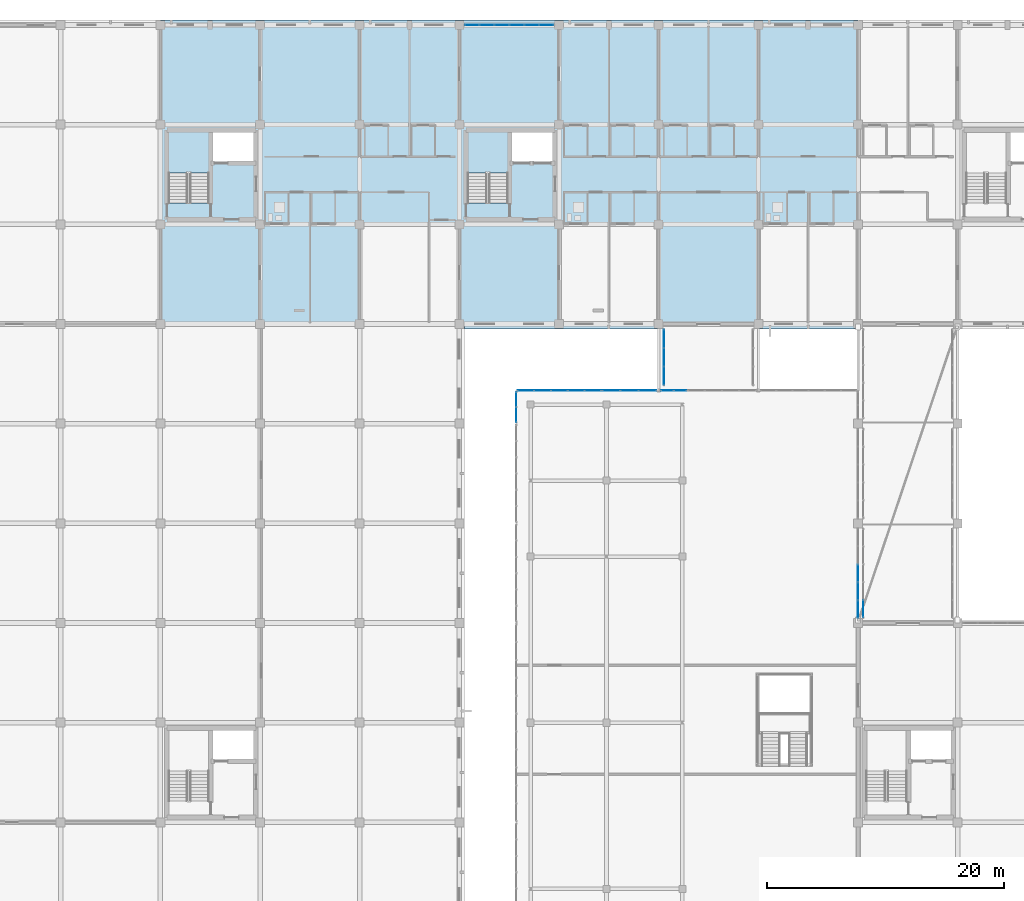
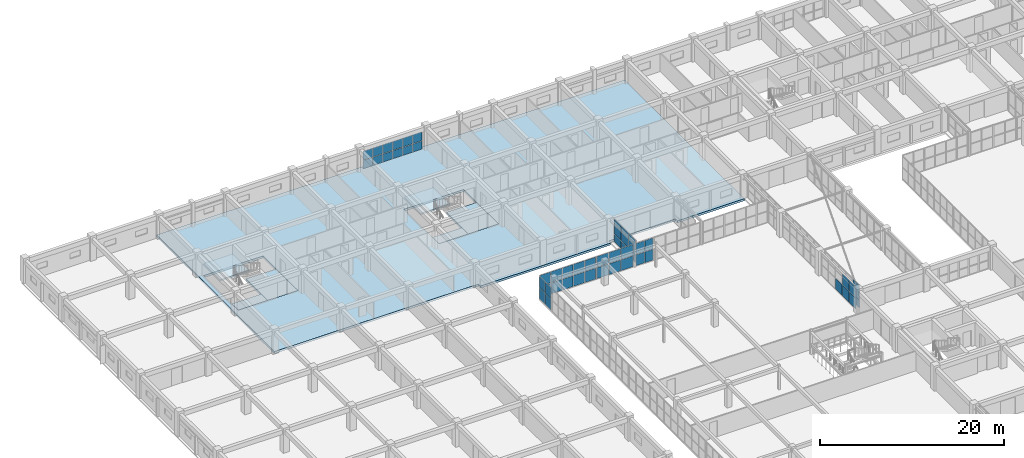
# One storey, part 152 of 200: 49 plates, 7 slabs, 10 elements without a shape of their own.
"""IFC4 building model written with IfcOpenShell, lengths in metres."""

from ifc_helpers import new_model, si_unit, direction, frame, origin, origin_2d, place, context, subcontext, project, spatial, polyline, rectangle, outline, extrude, material, layer, layer_set, type_object, element, aggregate, save


model = new_model("IFC4")

# Units and contexts
model_context = context("Model", 3, precision=1e-05, world=origin(), true_north=direction((0.0, 1.0)))
body_context = subcontext(model_context, "Body", "Model", "MODEL_VIEW")
ifc_project = project(units=[si_unit("LENGTHUNIT", "METRE"), si_unit("AREAUNIT", "SQUARE_METRE"), si_unit("VOLUMEUNIT", "CUBIC_METRE"), si_unit("PLANEANGLEUNIT", "RADIAN"), si_unit("MASSUNIT", "GRAM", prefix="KILO")], contexts=[model_context])

# Site, building, storey
site_placement = place(None, origin())
site = spatial("IfcSite", under=ifc_project, at=site_placement, CompositionType="ELEMENT")
building_placement = place(site_placement, origin())
building = spatial("IfcBuilding", under=site, at=building_placement, Name="Trelvath General Hospital", CompositionType="ELEMENT")
storey_placement = place(building_placement, frame((0.0, 0.0, 4.800048828125)))
storey = spatial("IfcBuildingStorey", under=building, at=storey_placement, Name="L01", CompositionType="ELEMENT", Elevation=4.800048828125)

# Curtain wall, plates
ifc_material_1 = material(Name="Anodised aluminium and low-E glass", Category="aluminium")
ifc_layer_1 = layer(ifc_material_1, 0.14990234375)
ifc_layer_set_1 = layer_set([ifc_layer_1], Name="Anodised aluminium and low-E glass")
curtain_wall_type_1 = type_object("IfcCurtainWallType", Name="CW CrystalCube 710 306 15", PredefinedType="USERDEFINED", material=ifc_layer_set_1)
curtain_wall_1_placement = place(storey_placement, origin())
curtain_wall_1 = element("IfcCurtainWall", 1, at=curtain_wall_1_placement, inside=storey, type_object=curtain_wall_type_1, Name="Crystal Cube Curtain Wall CUBE-W-T0 N1 L01", ObjectType="Unitised Glazed Curtain Wall", PredefinedType="USERDEFINED")
ifc_material_2 = material(Name="Low-E laminated glass", Category="glass")
ifc_layer_2 = layer(ifc_material_2, 0.028076171875)
ifc_layer_set_2 = layer_set([ifc_layer_2], Name="Low-E laminated glass")
plate_type_1 = type_object("IfcPlateType", Name="CurtainPanel Glass28", PredefinedType="CURTAIN_PANEL", material=ifc_layer_set_2)
plate_1_placement = place(storey_placement, frame((47.60498046875, 86.800048828125, 0.06005859375), z_axis=(0.0, 0.0, 1.0), x_axis=(1.0, 0.0, 0.0)))
plate_1 = element("IfcPlate", 2, at=plate_1_placement, type_object=plate_type_1, Name="CW-133 panel 1.1", PredefinedType="CURTAIN_PANEL", context=body_context, shape_type="SweptSolid", body=[
    extrude(rectangle(XDim=1.330078125, YDim=0.028076171875, at=origin_2d()), origin(), (0.0, 0.0, 1.0), 1.43994140625),
])
plate_2_placement = place(storey_placement, frame((47.60498046875, 86.800048828125, 1.56005859375), z_axis=(0.0, 0.0, 1.0), x_axis=(1.0, 0.0, 0.0)))
plate_2 = element("IfcPlate", 3, at=plate_2_placement, type_object=plate_type_1, Name="CW-133 panel 1.2", PredefinedType="CURTAIN_PANEL", context=body_context, shape_type="SweptSolid", body=[
    extrude(rectangle(XDim=1.330078125, YDim=0.028076171875, at=origin_2d()), origin(), (0.0, 0.0, 1.0), 1.43994140625),
])
plate_3_placement = place(storey_placement, frame((49.010009765625, 86.800048828125, 0.06005859375), z_axis=(0.0, 0.0, 1.0), x_axis=(1.0, 0.0, 0.0)))
plate_3 = element("IfcPlate", 4, at=plate_3_placement, type_object=plate_type_1, Name="CW-133 panel 2.1", PredefinedType="CURTAIN_PANEL", context=body_context, shape_type="SweptSolid", body=[
    extrude(rectangle(XDim=1.360107421875, YDim=0.028076171875, at=origin_2d()), origin(), (0.0, 0.0, 1.0), 1.43994140625),
])
plate_4_placement = place(storey_placement, frame((49.010009765625, 86.800048828125, 1.56005859375), z_axis=(0.0, 0.0, 1.0), x_axis=(1.0, 0.0, 0.0)))
plate_4 = element("IfcPlate", 5, at=plate_4_placement, type_object=plate_type_1, Name="CW-133 panel 2.2", PredefinedType="CURTAIN_PANEL", context=body_context, shape_type="SweptSolid", body=[
    extrude(rectangle(XDim=1.360107421875, YDim=0.028076171875, at=origin_2d()), origin(), (0.0, 0.0, 1.0), 1.43994140625),
])
plate_5_placement = place(storey_placement, frame((50.429931640625, 86.800048828125, 0.06005859375), z_axis=(0.0, 0.0, 1.0), x_axis=(1.0, 0.0, 0.0)))
plate_5 = element("IfcPlate", 6, at=plate_5_placement, type_object=plate_type_1, Name="CW-133 panel 3.1", PredefinedType="CURTAIN_PANEL", context=body_context, shape_type="SweptSolid", body=[
    extrude(rectangle(XDim=1.360107421875, YDim=0.028076171875, at=origin_2d()), origin(), (0.0, 0.0, 1.0), 1.43994140625),
])
plate_6_placement = place(storey_placement, frame((50.429931640625, 86.800048828125, 1.56005859375), z_axis=(0.0, 0.0, 1.0), x_axis=(1.0, 0.0, 0.0)))
plate_6 = element("IfcPlate", 7, at=plate_6_placement, type_object=plate_type_1, Name="CW-133 panel 3.2", PredefinedType="CURTAIN_PANEL", context=body_context, shape_type="SweptSolid", body=[
    extrude(rectangle(XDim=1.360107421875, YDim=0.028076171875, at=origin_2d()), origin(), (0.0, 0.0, 1.0), 1.43994140625),
])
plate_7_placement = place(storey_placement, frame((51.85009765625, 86.800048828125, 0.06005859375), z_axis=(0.0, 0.0, 1.0), x_axis=(1.0, 0.0, 0.0)))
plate_7 = element("IfcPlate", 8, at=plate_7_placement, type_object=plate_type_1, Name="CW-133 panel 4.1", PredefinedType="CURTAIN_PANEL", context=body_context, shape_type="SweptSolid", body=[
    extrude(rectangle(XDim=1.360107421875, YDim=0.028076171875, at=origin_2d()), origin(), (0.0, 0.0, 1.0), 1.43994140625),
])
plate_8_placement = place(storey_placement, frame((51.85009765625, 86.800048828125, 1.56005859375), z_axis=(0.0, 0.0, 1.0), x_axis=(1.0, 0.0, 0.0)))
plate_8 = element("IfcPlate", 9, at=plate_8_placement, type_object=plate_type_1, Name="CW-133 panel 4.2", PredefinedType="CURTAIN_PANEL", context=body_context, shape_type="SweptSolid", body=[
    extrude(rectangle(XDim=1.360107421875, YDim=0.028076171875, at=origin_2d()), origin(), (0.0, 0.0, 1.0), 1.43994140625),
])
plate_9_placement = place(storey_placement, frame((53.2548828125, 86.800048828125, 0.06005859375), z_axis=(0.0, 0.0, 1.0), x_axis=(1.0, 0.0, 0.0)))
plate_9 = element("IfcPlate", 10, at=plate_9_placement, type_object=plate_type_1, Name="CW-133 panel 5.1", PredefinedType="CURTAIN_PANEL", context=body_context, shape_type="SweptSolid", body=[
    extrude(rectangle(XDim=1.330078125, YDim=0.028076171875, at=origin_2d()), origin(), (0.0, 0.0, 1.0), 1.43994140625),
])
plate_10_placement = place(storey_placement, frame((53.2548828125, 86.800048828125, 1.56005859375), z_axis=(0.0, 0.0, 1.0), x_axis=(1.0, 0.0, 0.0)))
plate_10 = element("IfcPlate", 11, at=plate_10_placement, type_object=plate_type_1, Name="CW-133 panel 5.2", PredefinedType="CURTAIN_PANEL", context=body_context, shape_type="SweptSolid", body=[
    extrude(rectangle(XDim=1.330078125, YDim=0.028076171875, at=origin_2d()), origin(), (0.0, 0.0, 1.0), 1.43994140625),
])
aggregate(curtain_wall_1, [plate_1, plate_2, plate_3, plate_4, plate_5, plate_6, plate_7, plate_8, plate_9, plate_10])

ifc_material_3 = material(Name="Anodised aluminium and low-E glass", Category="aluminium")
ifc_layer_3 = layer(ifc_material_3, 0.14990234375)
ifc_layer_set_3 = layer_set([ifc_layer_3], Name="Anodised aluminium and low-E glass")
curtain_wall_type_2 = type_object("IfcCurtainWallType", Name="CW CrystalCube 463 306 15", PredefinedType="USERDEFINED", material=ifc_layer_set_3)
curtain_wall_2_placement = place(storey_placement, origin())
curtain_wall_2 = element("IfcCurtainWall", 12, at=curtain_wall_2_placement, inside=storey, type_object=curtain_wall_type_2, Name="Crystal Cube Curtain Wall CUBE-W-T0 N2 L01", ObjectType="Unitised Glazed Curtain Wall", PredefinedType="USERDEFINED")
plate_11_placement = place(storey_placement, frame((54.806640625, 86.800048828125, 0.06005859375), z_axis=(0.0, 0.0, 1.0), x_axis=(1.0, 0.0, 0.0)))
plate_11 = element("IfcPlate", 13, at=plate_11_placement, type_object=plate_type_1, Name="CW-134 panel 1.1", PredefinedType="CURTAIN_PANEL", context=body_context, shape_type="SweptSolid", body=[
    extrude(rectangle(XDim=1.453369140625, YDim=0.028076171875, at=origin_2d()), origin(), (0.0, 0.0, 1.0), 1.43994140625),
])
plate_12_placement = place(storey_placement, frame((54.806640625, 86.800048828125, 1.56005859375), z_axis=(0.0, 0.0, 1.0), x_axis=(1.0, 0.0, 0.0)))
plate_12 = element("IfcPlate", 14, at=plate_12_placement, type_object=plate_type_1, Name="CW-134 panel 1.2", PredefinedType="CURTAIN_PANEL", context=body_context, shape_type="SweptSolid", body=[
    extrude(rectangle(XDim=1.453369140625, YDim=0.028076171875, at=origin_2d()), origin(), (0.0, 0.0, 1.0), 1.43994140625),
])
plate_13_placement = place(storey_placement, frame((56.3349609375, 86.800048828125, 0.06005859375), z_axis=(0.0, 0.0, 1.0), x_axis=(1.0, 0.0, 0.0)))
plate_13 = element("IfcPlate", 15, at=plate_13_placement, type_object=plate_type_1, Name="CW-134 panel 2.1", PredefinedType="CURTAIN_PANEL", context=body_context, shape_type="SweptSolid", body=[
    extrude(rectangle(XDim=1.4833984375, YDim=0.028076171875, at=origin_2d()), origin(), (0.0, 0.0, 1.0), 1.43994140625),
])
plate_14_placement = place(storey_placement, frame((56.3349609375, 86.800048828125, 1.56005859375), z_axis=(0.0, 0.0, 1.0), x_axis=(1.0, 0.0, 0.0)))
plate_14 = element("IfcPlate", 16, at=plate_14_placement, type_object=plate_type_1, Name="CW-134 panel 2.2", PredefinedType="CURTAIN_PANEL", context=body_context, shape_type="SweptSolid", body=[
    extrude(rectangle(XDim=1.4833984375, YDim=0.028076171875, at=origin_2d()), origin(), (0.0, 0.0, 1.0), 1.43994140625),
])
plate_15_placement = place(storey_placement, frame((57.86328125, 86.800048828125, 0.06005859375), z_axis=(0.0, 0.0, 1.0), x_axis=(1.0, 0.0, 0.0)))
plate_15 = element("IfcPlate", 17, at=plate_15_placement, type_object=plate_type_1, Name="CW-134 panel 3.1", PredefinedType="CURTAIN_PANEL", context=body_context, shape_type="SweptSolid", body=[
    extrude(rectangle(XDim=1.453369140625, YDim=0.028076171875, at=origin_2d()), origin(), (0.0, 0.0, 1.0), 1.43994140625),
])
plate_16_placement = place(storey_placement, frame((57.86328125, 86.800048828125, 1.56005859375), z_axis=(0.0, 0.0, 1.0), x_axis=(1.0, 0.0, 0.0)))
plate_16 = element("IfcPlate", 18, at=plate_16_placement, type_object=plate_type_1, Name="CW-134 panel 3.2", PredefinedType="CURTAIN_PANEL", context=body_context, shape_type="SweptSolid", body=[
    extrude(rectangle(XDim=1.453369140625, YDim=0.028076171875, at=origin_2d()), origin(), (0.0, 0.0, 1.0), 1.43994140625),
])
aggregate(curtain_wall_2, [plate_11, plate_12, plate_13, plate_14, plate_15, plate_16])

ifc_material_4 = material(Name="Anodised aluminium and low-E glass", Category="aluminium")
ifc_layer_4 = layer(ifc_material_4, 0.14990234375)
ifc_layer_set_4 = layer_set([ifc_layer_4], Name="Anodised aluminium and low-E glass")
curtain_wall_type_3 = type_object("IfcCurtainWallType", Name="CW CrystalCube 223 306 15", PredefinedType="USERDEFINED", material=ifc_layer_set_4)
curtain_wall_3_placement = place(storey_placement, origin())
curtain_wall_3 = element("IfcCurtainWall", 19, at=curtain_wall_3_placement, inside=storey, type_object=curtain_wall_type_3, Name="Crystal Cube Curtain Wall CUBE-W-T0 N3 L01", ObjectType="Unitised Glazed Curtain Wall", PredefinedType="USERDEFINED")
plate_17_placement = place(storey_placement, frame((59.5224609375, 86.800048828125, 0.06005859375), z_axis=(0.0, 0.0, 1.0), x_axis=(1.0, 0.0, 0.0)))
plate_17 = element("IfcPlate", 20, at=plate_17_placement, type_object=plate_type_1, Name="CW-135 panel 1.1", PredefinedType="CURTAIN_PANEL", context=body_context, shape_type="SweptSolid", body=[
    extrude(rectangle(XDim=1.02490234375, YDim=0.028076171875, at=origin_2d()), origin(), (0.0, 0.0, 1.0), 1.43994140625),
])
plate_18_placement = place(storey_placement, frame((59.5224609375, 86.800048828125, 1.56005859375), z_axis=(0.0, 0.0, 1.0), x_axis=(1.0, 0.0, 0.0)))
plate_18 = element("IfcPlate", 21, at=plate_18_placement, type_object=plate_type_1, Name="CW-135 panel 1.2", PredefinedType="CURTAIN_PANEL", context=body_context, shape_type="SweptSolid", body=[
    extrude(rectangle(XDim=1.02490234375, YDim=0.028076171875, at=origin_2d()), origin(), (0.0, 0.0, 1.0), 1.43994140625),
])
plate_19_placement = place(storey_placement, frame((60.607421875, 86.800048828125, 0.06005859375), z_axis=(0.0, 0.0, 1.0), x_axis=(1.0, 0.0, 0.0)))
plate_19 = element("IfcPlate", 22, at=plate_19_placement, type_object=plate_type_1, Name="CW-135 panel 2.1", PredefinedType="CURTAIN_PANEL", context=body_context, shape_type="SweptSolid", body=[
    extrude(rectangle(XDim=1.02490234375, YDim=0.028076171875, at=origin_2d()), origin(), (0.0, 0.0, 1.0), 1.43994140625),
])
plate_20_placement = place(storey_placement, frame((60.607421875, 86.800048828125, 1.56005859375), z_axis=(0.0, 0.0, 1.0), x_axis=(1.0, 0.0, 0.0)))
plate_20 = element("IfcPlate", 23, at=plate_20_placement, type_object=plate_type_1, Name="CW-135 panel 2.2", PredefinedType="CURTAIN_PANEL", context=body_context, shape_type="SweptSolid", body=[
    extrude(rectangle(XDim=1.02490234375, YDim=0.028076171875, at=origin_2d()), origin(), (0.0, 0.0, 1.0), 1.43994140625),
])
aggregate(curtain_wall_3, [plate_17, plate_18, plate_19, plate_20])

ifc_material_5 = material(Name="Anodised aluminium and low-E glass", Category="aluminium")
ifc_layer_5 = layer(ifc_material_5, 0.14990234375)
ifc_layer_set_5 = layer_set([ifc_layer_5], Name="Anodised aluminium and low-E glass")
curtain_wall_type_4 = type_object("IfcCurtainWallType", Name="CW CrystalCube 759 306 15", PredefinedType="USERDEFINED", material=ifc_layer_set_5)
curtain_wall_4_placement = place(storey_placement, origin())
curtain_wall_4 = element("IfcCurtainWall", 24, at=curtain_wall_4_placement, inside=storey, type_object=curtain_wall_type_4, Name="Crystal Cube Curtain Wall CUBE-W-T0 E5 L01", ObjectType="Unitised Glazed Curtain Wall", PredefinedType="USERDEFINED")
plate_21_placement = place(storey_placement, frame((75.60009765625, 71.39990234375, 0.06005859375), z_axis=(0.0, 0.0, 1.0), x_axis=(0.0, -1.0, 0.0)))
plate_21 = element("IfcPlate", 25, at=plate_21_placement, type_object=plate_type_1, Name="CW-145 panel 3.1", PredefinedType="CURTAIN_PANEL", context=body_context, shape_type="SweptSolid", body=[
    extrude(rectangle(XDim=1.4580078125, YDim=0.028076171875, at=origin_2d()), origin(), (0.0, 0.0, 1.0), 1.43994140625),
])
plate_22_placement = place(storey_placement, frame((75.60009765625, 69.882080078125, 0.06005859375), z_axis=(0.0, 0.0, 1.0), x_axis=(0.0, -1.0, 0.0)))
plate_22 = element("IfcPlate", 26, at=plate_22_placement, type_object=plate_type_1, Name="CW-145 panel 4.1", PredefinedType="CURTAIN_PANEL", context=body_context, shape_type="SweptSolid", body=[
    extrude(rectangle(XDim=1.4580078125, YDim=0.028076171875, at=origin_2d()), origin(), (0.0, 0.0, 1.0), 1.43994140625),
])
plate_23_placement = place(storey_placement, frame((75.60009765625, 69.882080078125, 1.56005859375), z_axis=(0.0, 0.0, 1.0), x_axis=(0.0, -1.0, 0.0)))
plate_23 = element("IfcPlate", 27, at=plate_23_placement, type_object=plate_type_1, Name="CW-145 panel 4.2", PredefinedType="CURTAIN_PANEL", context=body_context, shape_type="SweptSolid", body=[
    extrude(rectangle(XDim=1.4580078125, YDim=0.028076171875, at=origin_2d()), origin(), (0.0, 0.0, 1.0), 1.43994140625),
])
plate_24_placement = place(storey_placement, frame((75.60009765625, 68.37890625, 0.06005859375), z_axis=(0.0, 0.0, 1.0), x_axis=(0.0, -1.0, 0.0)))
plate_24 = element("IfcPlate", 28, at=plate_24_placement, type_object=plate_type_1, Name="CW-145 panel 5.1", PredefinedType="CURTAIN_PANEL", context=body_context, shape_type="SweptSolid", body=[
    extrude(rectangle(XDim=1.427978515625, YDim=0.028076171875, at=origin_2d()), origin(), (0.0, 0.0, 1.0), 1.43994140625),
])
plate_25_placement = place(storey_placement, frame((75.60009765625, 68.37890625, 1.56005859375), z_axis=(0.0, 0.0, 1.0), x_axis=(0.0, -1.0, 0.0)))
plate_25 = element("IfcPlate", 29, at=plate_25_placement, type_object=plate_type_1, Name="CW-145 panel 5.2", PredefinedType="CURTAIN_PANEL", context=body_context, shape_type="SweptSolid", body=[
    extrude(rectangle(XDim=1.427978515625, YDim=0.028076171875, at=origin_2d()), origin(), (0.0, 0.0, 1.0), 1.43994140625),
])
aggregate(curtain_wall_4, [plate_21, plate_22, plate_23, plate_24, plate_25])

ifc_material_6 = material(Name="Anodised aluminium and low-E glass", Category="aluminium")
ifc_layer_6 = layer(ifc_material_6, 0.14990234375)
ifc_layer_set_6 = layer_set([ifc_layer_6], Name="Anodised aluminium and low-E glass")
curtain_wall_type_5 = type_object("IfcCurtainWallType", Name="CW CrystalCube 264 306 15", PredefinedType="USERDEFINED", material=ifc_layer_set_6)
curtain_wall_5_placement = place(storey_placement, origin())
curtain_wall_5 = element("IfcCurtainWall", 30, at=curtain_wall_5_placement, inside=storey, type_object=curtain_wall_type_5, Name="Crystal Cube Curtain Wall CUBE-W-T0 W7 L01", ObjectType="Unitised Glazed Curtain Wall", PredefinedType="USERDEFINED")
plate_26_placement = place(storey_placement, frame((46.800048828125, 84.7548828125, 0.06005859375), z_axis=(0.0, 0.0, 1.0), x_axis=(0.0, 1.0, 0.0)))
plate_26 = element("IfcPlate", 31, at=plate_26_placement, type_object=plate_type_1, Name="CW-148 panel 1.1", PredefinedType="CURTAIN_PANEL", context=body_context, shape_type="SweptSolid", body=[
    extrude(rectangle(XDim=1.22998046875, YDim=0.028076171875, at=origin_2d()), origin(), (0.0, 0.0, 1.0), 1.43994140625),
])
plate_27_placement = place(storey_placement, frame((46.800048828125, 84.7548828125, 1.56005859375), z_axis=(0.0, 0.0, 1.0), x_axis=(0.0, 1.0, 0.0)))
plate_27 = element("IfcPlate", 32, at=plate_27_placement, type_object=plate_type_1, Name="CW-148 panel 1.2", PredefinedType="CURTAIN_PANEL", context=body_context, shape_type="SweptSolid", body=[
    extrude(rectangle(XDim=1.22998046875, YDim=0.028076171875, at=origin_2d()), origin(), (0.0, 0.0, 1.0), 1.43994140625),
])
plate_28_placement = place(storey_placement, frame((46.800048828125, 86.044921875, 0.06005859375), z_axis=(0.0, 0.0, 1.0), x_axis=(0.0, 1.0, 0.0)))
plate_28 = element("IfcPlate", 33, at=plate_28_placement, type_object=plate_type_1, Name="CW-148 panel 2.1", PredefinedType="CURTAIN_PANEL", context=body_context, shape_type="SweptSolid", body=[
    extrude(rectangle(XDim=1.22998046875, YDim=0.028076171875, at=origin_2d()), origin(), (0.0, 0.0, 1.0), 1.43994140625),
])
plate_29_placement = place(storey_placement, frame((46.800048828125, 86.044921875, 1.56005859375), z_axis=(0.0, 0.0, 1.0), x_axis=(0.0, 1.0, 0.0)))
plate_29 = element("IfcPlate", 34, at=plate_29_placement, type_object=plate_type_1, Name="CW-148 panel 2.2", PredefinedType="CURTAIN_PANEL", context=body_context, shape_type="SweptSolid", body=[
    extrude(rectangle(XDim=1.22998046875, YDim=0.028076171875, at=origin_2d()), origin(), (0.0, 0.0, 1.0), 1.43994140625),
])
aggregate(curtain_wall_5, [plate_26, plate_27, plate_28, plate_29])

ifc_material_7 = material(Name="Anodised aluminium and low-E glass", Category="aluminium")
ifc_layer_7 = layer(ifc_material_7, 0.139892578125)
ifc_layer_set_7 = layer_set([ifc_layer_7], Name="Anodised aluminium and low-E glass")
curtain_wall_type_6 = type_object("IfcCurtainWallType", Name="CW Bridge 752 311", PredefinedType="USERDEFINED", material=ifc_layer_set_7)
curtain_wall_6_placement = place(storey_placement, origin())
curtain_wall_6 = element("IfcCurtainWall", 35, at=curtain_wall_6_placement, inside=storey, type_object=curtain_wall_type_6, Name="Glazed Bridge Curtain Wall BRG-N-C W L01", ObjectType="Unitised Glazed Curtain Wall", PredefinedType="USERDEFINED")
plate_30_placement = place(storey_placement, frame((76.0400390625, 68.406982421875, 0.06005859375), z_axis=(0.0, 0.0, 1.0), x_axis=(0.0, 1.0, 0.0)))
plate_30 = element("IfcPlate", 36, at=plate_30_placement, type_object=plate_type_1, Name="CW-172 panel 1.1", PredefinedType="CURTAIN_PANEL", context=body_context, shape_type="SweptSolid", body=[
    extrude(rectangle(XDim=1.4140625, YDim=0.028076171875, at=origin_2d()), origin(), (0.0, 0.0, 1.0), 1.010009765625),
])
plate_31_placement = place(storey_placement, frame((76.0400390625, 68.406982421875, 1.1298828125), z_axis=(0.0, 0.0, 1.0), x_axis=(0.0, 1.0, 0.0)))
plate_31 = element("IfcPlate", 37, at=plate_31_placement, type_object=plate_type_1, Name="CW-172 panel 1.2", PredefinedType="CURTAIN_PANEL", context=body_context, shape_type="SweptSolid", body=[
    extrude(rectangle(XDim=1.4140625, YDim=0.028076171875, at=origin_2d()), origin(), (0.0, 0.0, 1.0), 1.919921875),
])
aggregate(curtain_wall_6, [plate_30, plate_31])

ifc_material_8 = material(Name="Anodised aluminium and low-E glass", Category="aluminium")
ifc_layer_8 = layer(ifc_material_8, 0.139892578125)
ifc_layer_set_8 = layer_set([ifc_layer_8], Name="Anodised aluminium and low-E glass")
curtain_wall_type_7 = type_object("IfcCurtainWallType", Name="CW Bridge 472 311", PredefinedType="USERDEFINED", material=ifc_layer_set_8)
curtain_wall_7_placement = place(storey_placement, origin())
curtain_wall_7 = element("IfcCurtainWall", 38, at=curtain_wall_7_placement, inside=storey, type_object=curtain_wall_type_7, Name="Glazed Bridge Curtain Wall BRG-N-W W L01", ObjectType="Unitised Glazed Curtain Wall", PredefinedType="USERDEFINED")
plate_32_placement = place(storey_placement, frame((59.239990234375, 88.041748046875, 0.06005859375), z_axis=(0.0, 0.0, 1.0), x_axis=(0.0, 1.0, 0.0)))
plate_32 = element("IfcPlate", 39, at=plate_32_placement, type_object=plate_type_1, Name="CW-182 panel 1.1", PredefinedType="CURTAIN_PANEL", context=body_context, shape_type="SweptSolid", body=[
    extrude(rectangle(XDim=1.4833984375, YDim=0.028076171875, at=origin_2d()), origin(), (0.0, 0.0, 1.0), 1.010009765625),
])
plate_33_placement = place(storey_placement, frame((59.239990234375, 88.041748046875, 1.1298828125), z_axis=(0.0, 0.0, 1.0), x_axis=(0.0, 1.0, 0.0)))
plate_33 = element("IfcPlate", 40, at=plate_33_placement, type_object=plate_type_1, Name="CW-182 panel 1.2", PredefinedType="CURTAIN_PANEL", context=body_context, shape_type="SweptSolid", body=[
    extrude(rectangle(XDim=1.4833984375, YDim=0.028076171875, at=origin_2d()), origin(), (0.0, 0.0, 1.0), 1.919921875),
])
plate_34_placement = place(storey_placement, frame((59.239990234375, 89.60009765625, 0.06005859375), z_axis=(0.0, 0.0, 1.0), x_axis=(0.0, 1.0, 0.0)))
plate_34 = element("IfcPlate", 41, at=plate_34_placement, type_object=plate_type_1, Name="CW-182 panel 2.1", PredefinedType="CURTAIN_PANEL", context=body_context, shape_type="SweptSolid", body=[
    extrude(rectangle(XDim=1.513427734375, YDim=0.028076171875, at=origin_2d()), origin(), (0.0, 0.0, 1.0), 1.010009765625),
])
plate_35_placement = place(storey_placement, frame((59.239990234375, 89.60009765625, 1.1298828125), z_axis=(0.0, 0.0, 1.0), x_axis=(0.0, 1.0, 0.0)))
plate_35 = element("IfcPlate", 42, at=plate_35_placement, type_object=plate_type_1, Name="CW-182 panel 2.2", PredefinedType="CURTAIN_PANEL", context=body_context, shape_type="SweptSolid", body=[
    extrude(rectangle(XDim=1.513427734375, YDim=0.028076171875, at=origin_2d()), origin(), (0.0, 0.0, 1.0), 1.919921875),
])
plate_36_placement = place(storey_placement, frame((59.239990234375, 91.158447265625, 0.06005859375), z_axis=(0.0, 0.0, 1.0), x_axis=(0.0, 1.0, 0.0)))
plate_36 = element("IfcPlate", 43, at=plate_36_placement, type_object=plate_type_1, Name="CW-182 panel 3.1", PredefinedType="CURTAIN_PANEL", context=body_context, shape_type="SweptSolid", body=[
    extrude(rectangle(XDim=1.4833984375, YDim=0.028076171875, at=origin_2d()), origin(), (0.0, 0.0, 1.0), 1.010009765625),
])
plate_37_placement = place(storey_placement, frame((59.239990234375, 91.158447265625, 1.1298828125), z_axis=(0.0, 0.0, 1.0), x_axis=(0.0, 1.0, 0.0)))
plate_37 = element("IfcPlate", 44, at=plate_37_placement, type_object=plate_type_1, Name="CW-182 panel 3.2", PredefinedType="CURTAIN_PANEL", context=body_context, shape_type="SweptSolid", body=[
    extrude(rectangle(XDim=1.4833984375, YDim=0.028076171875, at=origin_2d()), origin(), (0.0, 0.0, 1.0), 1.919921875),
])
aggregate(curtain_wall_7, [plate_32, plate_33, plate_34, plate_35, plate_36, plate_37])

ifc_material_9 = material(Name="Anodised aluminium and low-E glass", Category="aluminium")
ifc_layer_9 = layer(ifc_material_9, 0.159912109375)
ifc_layer_set_9 = layer_set([ifc_layer_9], Name="Anodised aluminium and low-E glass")
curtain_wall_type_8 = type_object("IfcCurtainWallType", Name="CW Facade 754 242 16", PredefinedType="USERDEFINED", material=ifc_layer_set_9)
curtain_wall_8_placement = place(storey_placement, origin())
curtain_wall_8 = element("IfcCurtainWall", 45, at=curtain_wall_8_placement, inside=storey, type_object=curtain_wall_type_8, Name="Facade Curtain Wall CW-015", ObjectType="Unitised Glazed Curtain Wall", PredefinedType="USERDEFINED")
ifc_material_10 = material(Name="Insulated aluminium spandrel", Category="aluminium")
ifc_layer_10 = layer(ifc_material_10, 0.0439453125)
ifc_layer_set_10 = layer_set([ifc_layer_10], Name="Insulated aluminium spandrel")
plate_type_2 = type_object("IfcPlateType", Name="CurtainPanel Spandrel44", PredefinedType="CURTAIN_PANEL", material=ifc_layer_set_10)
plate_38_placement = place(storey_placement, frame((43.0732421875, 117.60009765625, 0.06005859375), z_axis=(0.0, 0.0, 1.0), x_axis=(1.0, 0.0, 0.0)))
plate_38 = element("IfcPlate", 46, at=plate_38_placement, type_object=plate_type_2, Name="CW-015 panel 1.1", PredefinedType="CURTAIN_PANEL", context=body_context, shape_type="SweptSolid", body=[
    extrude(rectangle(XDim=1.166748046875, YDim=0.0439453125, at=origin_2d()), origin(), (0.0, 0.0, 1.0), 1.072021484375),
])
plate_39_placement = place(storey_placement, frame((43.0732421875, 117.60009765625, 1.19189453125), z_axis=(0.0, 0.0, 1.0), x_axis=(1.0, 0.0, 0.0)))
plate_39 = element("IfcPlate", 47, at=plate_39_placement, type_object=plate_type_2, Name="CW-015 panel 1.2", PredefinedType="CURTAIN_PANEL", context=body_context, shape_type="SweptSolid", body=[
    extrude(rectangle(XDim=1.166748046875, YDim=0.0439453125, at=origin_2d()), origin(), (0.0, 0.0, 1.0), 1.16796875),
])
plate_40_placement = place(storey_placement, frame((44.31494140625, 117.60009765625, 0.06005859375), z_axis=(0.0, 0.0, 1.0), x_axis=(1.0, 0.0, 0.0)))
plate_40 = element("IfcPlate", 48, at=plate_40_placement, type_object=plate_type_2, Name="CW-015 panel 2.1", PredefinedType="CURTAIN_PANEL", context=body_context, shape_type="SweptSolid", body=[
    extrude(rectangle(XDim=1.19677734375, YDim=0.0439453125, at=origin_2d()), origin(), (0.0, 0.0, 1.0), 1.072021484375),
])
plate_41_placement = place(storey_placement, frame((44.31494140625, 117.60009765625, 1.19189453125), z_axis=(0.0, 0.0, 1.0), x_axis=(1.0, 0.0, 0.0)))
plate_41 = element("IfcPlate", 49, at=plate_41_placement, type_object=plate_type_2, Name="CW-015 panel 2.2", PredefinedType="CURTAIN_PANEL", context=body_context, shape_type="SweptSolid", body=[
    extrude(rectangle(XDim=1.19677734375, YDim=0.0439453125, at=origin_2d()), origin(), (0.0, 0.0, 1.0), 1.16796875),
])
plate_42_placement = place(storey_placement, frame((45.57177734375, 117.60009765625, 0.06005859375), z_axis=(0.0, 0.0, 1.0), x_axis=(1.0, 0.0, 0.0)))
plate_42 = element("IfcPlate", 50, at=plate_42_placement, type_object=plate_type_2, Name="CW-015 panel 3.1", PredefinedType="CURTAIN_PANEL", context=body_context, shape_type="SweptSolid", body=[
    extrude(rectangle(XDim=1.19677734375, YDim=0.0439453125, at=origin_2d()), origin(), (0.0, 0.0, 1.0), 1.072021484375),
])
plate_43_placement = place(storey_placement, frame((45.57177734375, 117.60009765625, 1.19189453125), z_axis=(0.0, 0.0, 1.0), x_axis=(1.0, 0.0, 0.0)))
plate_43 = element("IfcPlate", 51, at=plate_43_placement, type_object=plate_type_2, Name="CW-015 panel 3.2", PredefinedType="CURTAIN_PANEL", context=body_context, shape_type="SweptSolid", body=[
    extrude(rectangle(XDim=1.19677734375, YDim=0.0439453125, at=origin_2d()), origin(), (0.0, 0.0, 1.0), 1.16796875),
])
plate_44_placement = place(storey_placement, frame((46.828369140625, 117.60009765625, 0.06005859375), z_axis=(0.0, 0.0, 1.0), x_axis=(1.0, 0.0, 0.0)))
plate_44 = element("IfcPlate", 52, at=plate_44_placement, type_object=plate_type_2, Name="CW-015 panel 4.1", PredefinedType="CURTAIN_PANEL", context=body_context, shape_type="SweptSolid", body=[
    extrude(rectangle(XDim=1.19677734375, YDim=0.0439453125, at=origin_2d()), origin(), (0.0, 0.0, 1.0), 1.072021484375),
])
plate_45_placement = place(storey_placement, frame((46.828369140625, 117.60009765625, 1.19189453125), z_axis=(0.0, 0.0, 1.0), x_axis=(1.0, 0.0, 0.0)))
plate_45 = element("IfcPlate", 53, at=plate_45_placement, type_object=plate_type_2, Name="CW-015 panel 4.2", PredefinedType="CURTAIN_PANEL", context=body_context, shape_type="SweptSolid", body=[
    extrude(rectangle(XDim=1.19677734375, YDim=0.0439453125, at=origin_2d()), origin(), (0.0, 0.0, 1.0), 1.16796875),
])
plate_46_placement = place(storey_placement, frame((48.0849609375, 117.60009765625, 0.06005859375), z_axis=(0.0, 0.0, 1.0), x_axis=(1.0, 0.0, 0.0)))
plate_46 = element("IfcPlate", 54, at=plate_46_placement, type_object=plate_type_2, Name="CW-015 panel 5.1", PredefinedType="CURTAIN_PANEL", context=body_context, shape_type="SweptSolid", body=[
    extrude(rectangle(XDim=1.19677734375, YDim=0.0439453125, at=origin_2d()), origin(), (0.0, 0.0, 1.0), 1.072021484375),
])
plate_47_placement = place(storey_placement, frame((48.0849609375, 117.60009765625, 1.19189453125), z_axis=(0.0, 0.0, 1.0), x_axis=(1.0, 0.0, 0.0)))
plate_47 = element("IfcPlate", 55, at=plate_47_placement, type_object=plate_type_2, Name="CW-015 panel 5.2", PredefinedType="CURTAIN_PANEL", context=body_context, shape_type="SweptSolid", body=[
    extrude(rectangle(XDim=1.19677734375, YDim=0.0439453125, at=origin_2d()), origin(), (0.0, 0.0, 1.0), 1.16796875),
])
plate_48_placement = place(storey_placement, frame((49.32666015625, 117.60009765625, 0.06005859375), z_axis=(0.0, 0.0, 1.0), x_axis=(1.0, 0.0, 0.0)))
plate_48 = element("IfcPlate", 56, at=plate_48_placement, type_object=plate_type_2, Name="CW-015 panel 6.1", PredefinedType="CURTAIN_PANEL", context=body_context, shape_type="SweptSolid", body=[
    extrude(rectangle(XDim=1.166748046875, YDim=0.0439453125, at=origin_2d()), origin(), (0.0, 0.0, 1.0), 1.072021484375),
])
plate_49_placement = place(storey_placement, frame((49.32666015625, 117.60009765625, 1.19189453125), z_axis=(0.0, 0.0, 1.0), x_axis=(1.0, 0.0, 0.0)))
plate_49 = element("IfcPlate", 57, at=plate_49_placement, type_object=plate_type_2, Name="CW-015 panel 6.2", PredefinedType="CURTAIN_PANEL", context=body_context, shape_type="SweptSolid", body=[
    extrude(rectangle(XDim=1.166748046875, YDim=0.0439453125, at=origin_2d()), origin(), (0.0, 0.0, 1.0), 1.16796875),
])
aggregate(curtain_wall_8, [plate_38, plate_39, plate_40, plate_41, plate_42, plate_43, plate_44, plate_45, plate_46, plate_47, plate_48, plate_49])

# Slabs
ifc_material_11 = material(Name="Concrete C35/45", Category="concrete")
ifc_layer_11 = layer(ifc_material_11, 0.280029296875)
ifc_layer_set_11 = layer_set([ifc_layer_11], Name="Concrete C35/45")
slab_type_1 = type_object("IfcSlabType", Name="FlatSlab Clinical280", PredefinedType="FLOOR", material=ifc_layer_set_11)
slab_1_placement = place(storey_placement, frame((0.0, 0.0, -0.280029296875)))
element("IfcSlab", 58, at=slab_1_placement, inside=storey, type_object=slab_type_1, Name="Floor Slab SL-L01-V5-N1", PredefinedType="FLOOR", context=body_context, shape_type="SweptSolid", body=[
    extrude(outline(polyline([(16.820068359375, 92.419921875), (16.820068359375, 118.02001953125), (75.60009765625, 118.02001953125), (75.60009765625, 117.6201171875), (75.580078125, 117.6201171875), (75.60009765625, 117.60009765625), (75.60009765625, 92.39990234375), (75.580078125, 92.39990234375), (75.60009765625, 92.3798828125), (75.60009765625, 91.97998046875), (67.199951171875, 91.97998046875), (67.199951171875, 92.39990234375), (58.800048828125, 92.39990234375), (58.800048828125, 91.97998046875), (42.43994140625, 91.97998046875), (42.43994140625, 92.39990234375), (42.02001953125, 92.39990234375), (42.02001953125, 92.419921875), (16.820068359375, 92.419921875)]), holes=[polyline([(17.35009765625, 101.199951171875), (24.85009765625, 101.199951171875), (24.85009765625, 108.75), (17.35009765625, 108.75), (17.35009765625, 101.199951171875)]), polyline([(42.550048828125, 101.199951171875), (50.050048828125, 101.199951171875), (50.050048828125, 108.75), (42.550048828125, 108.75), (42.550048828125, 101.199951171875)])]), origin(), (0.0, 0.0, 1.0), 0.280029296875),
])
slab_2_placement = place(storey_placement, frame((0.0, 0.0, -0.280029296875)))
element("IfcSlab", 59, at=slab_2_placement, inside=storey, type_object=slab_type_1, Name="Core Lobby Slab C1 L01", PredefinedType="FLOOR", context=body_context, shape_type="SweptSolid", body=[
    extrude(outline(polyline([(46.25, 101.199951171875), (50.050048828125, 101.199951171875), (50.050048828125, 105.949951171875), (46.25, 105.949951171875), (46.25, 101.199951171875)])), origin(), (0.0, 0.0, 1.0), 0.280029296875),
])
slab_3_placement = place(storey_placement, frame((0.0, 0.0, -0.280029296875)))
element("IfcSlab", 60, at=slab_3_placement, inside=storey, type_object=slab_type_1, Name="Stair Landing Slab C1 L01", PredefinedType="FLOOR", context=body_context, shape_type="SweptSolid", body=[
    extrude(outline(polyline([(42.550048828125, 101.199951171875), (46.25, 101.199951171875), (46.25, 102.60009765625), (42.550048828125, 102.60009765625), (42.550048828125, 101.199951171875)])), origin(), (0.0, 0.0, 1.0), 0.280029296875),
])
slab_4_placement = place(storey_placement, frame((0.0, 0.0, -0.280029296875)))
element("IfcSlab", 61, at=slab_4_placement, inside=storey, type_object=slab_type_1, Name="Core Lobby Slab C3 L01", PredefinedType="FLOOR", context=body_context, shape_type="SweptSolid", body=[
    extrude(outline(polyline([(21.050048828125, 101.199951171875), (24.85009765625, 101.199951171875), (24.85009765625, 105.949951171875), (21.050048828125, 105.949951171875), (21.050048828125, 101.199951171875)])), origin(), (0.0, 0.0, 1.0), 0.280029296875),
])
slab_5_placement = place(storey_placement, frame((0.0, 0.0, -0.280029296875)))
element("IfcSlab", 62, at=slab_5_placement, inside=storey, type_object=slab_type_1, Name="Stair Landing Slab C3 L01", PredefinedType="FLOOR", context=body_context, shape_type="SweptSolid", body=[
    extrude(outline(polyline([(17.35009765625, 101.199951171875), (21.050048828125, 101.199951171875), (21.050048828125, 102.60009765625), (17.35009765625, 102.60009765625), (17.35009765625, 101.199951171875)])), origin(), (0.0, 0.0, 1.0), 0.280029296875),
])

# Stair, slab
ifc_material_12 = material(Name="Concrete C35/45", Category="concrete")
stair_type = type_object("IfcStairType", Name="Stair Stretcher330", PredefinedType="TWO_STRAIGHT_RUN_STAIR", material=ifc_material_12)
stair_1_placement = place(storey_placement, origin())
stair_1 = element("IfcStair", 63, at=stair_1_placement, inside=storey, type_object=stair_type, Name="Exit Stair ST1 L01", PredefinedType="TWO_STRAIGHT_RUN_STAIR")
ifc_material_13 = material(Name="Concrete C35/45", Category="concrete")
ifc_layer_12 = layer(ifc_material_13, 0.199951171875)
ifc_layer_set_12 = layer_set([ifc_layer_12], Name="Concrete C35/45")
slab_type_2 = type_object("IfcSlabType", Name="StairLanding 200", PredefinedType="LANDING", material=ifc_layer_set_12)
slab_6_placement = place(storey_placement, frame((0.0, 0.0, 1.449951171875)))
slab_6 = element("IfcSlab", 64, at=slab_6_placement, type_object=slab_type_2, Name="ST1-L01 landing 1", PredefinedType="LANDING", context=body_context, shape_type="SweptSolid", body=[
    extrude(outline(polyline([(42.56005859375, 105.1201171875), (46.239990234375, 105.1201171875), (46.239990234375, 108.739990234375), (42.56005859375, 108.739990234375), (42.56005859375, 105.1201171875)])), origin(), (0.0, 0.0, 1.0), 0.199951171875),
])
aggregate(stair_1, [slab_6])

stair_2_placement = place(storey_placement, origin())
stair_2 = element("IfcStair", 65, at=stair_2_placement, inside=storey, type_object=stair_type, Name="Exit Stair ST3 L01", PredefinedType="TWO_STRAIGHT_RUN_STAIR")
slab_7_placement = place(storey_placement, frame((0.0, 0.0, 1.449951171875)))
slab_7 = element("IfcSlab", 66, at=slab_7_placement, type_object=slab_type_2, Name="ST3-L01 landing 1", PredefinedType="LANDING", context=body_context, shape_type="SweptSolid", body=[
    extrude(outline(polyline([(17.360107421875, 105.1201171875), (21.0400390625, 105.1201171875), (21.0400390625, 108.739990234375), (17.360107421875, 108.739990234375), (17.360107421875, 105.1201171875)])), origin(), (0.0, 0.0, 1.0), 0.199951171875),
])
aggregate(stair_2, [slab_7])

save(model, "model.ifc")
